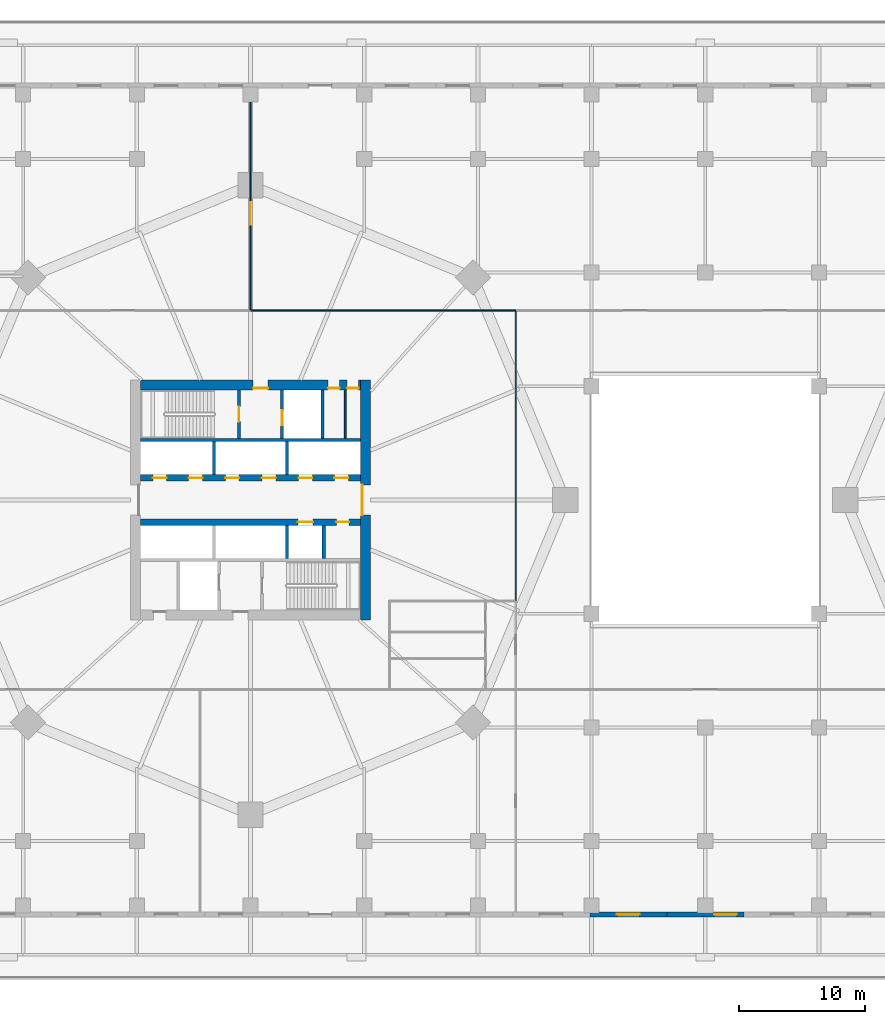
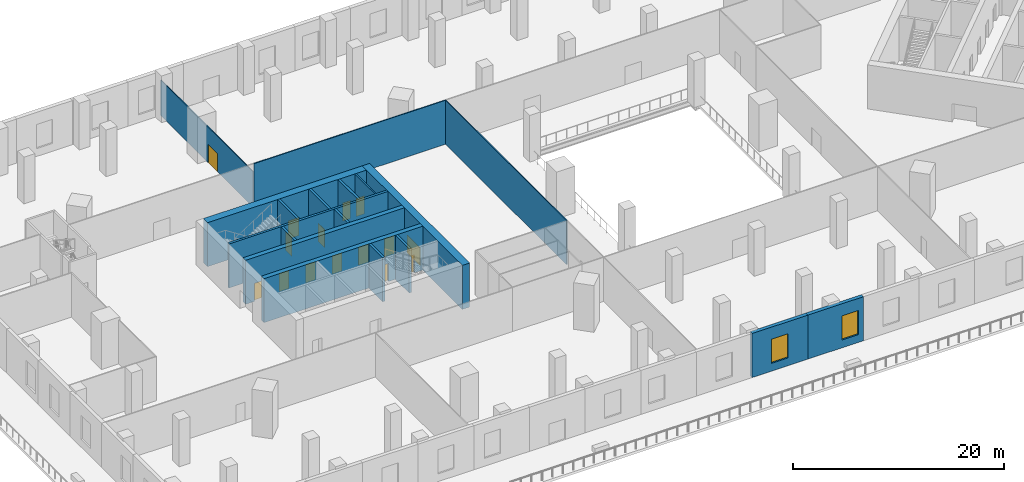
# One storey, part 6 of 20: 18 walls, 15 doors, 2 windows, 17 openings.
"""IFC4 building model written with IfcOpenShell, lengths in metres."""

import ifcopenshell
import ifcopenshell.guid

model = None  # the IFC model being written
_history = None  # IfcOwnerHistory: only IFC2X3 demands one
_inside = {}  # id of a spatial element -> (the spatial element, [elements in it])
_under = {}  # id of a project, library or spatial element -> (it, [spatial elements below it])
_declared = {}  # id of a project -> (the project, [libraries it declares])
_typed = {}  # id of a type object -> (the type object, [elements of that type])
_made_of = {}  # id of a material, layer set ... -> (it, [elements and type objects made of it])


def new_model(schema):
    """Start an empty IFC model of exactly this schema.

    Asked for "IFC4X3", IfcOpenShell would pick the latest addendum, in which some entities
    have other attributes; the version numbers below select the first issue.
    IFC2X3 requires an IfcOwnerHistory on every rooted entity: one is made here for all.
    """
    global model, _history
    if schema == "IFC4X3":
        model = ifcopenshell.file(schema_version=(4, 3, 0, 0))
    else:
        model = ifcopenshell.file(schema=schema)
    _inside.clear()
    _under.clear()
    _declared.clear()
    _typed.clear()
    _made_of.clear()
    _history = None
    if model.schema == "IFC2X3":
        org = make("IfcOrganization", Name="unknown")
        user = make(
            "IfcPersonAndOrganization",
            ThePerson=make("IfcPerson", FamilyName="unknown"),
            TheOrganization=org,
        )
        app = make(
            "IfcApplication",
            ApplicationDeveloper=org,
            Version="unknown",
            ApplicationFullName="unknown",
            ApplicationIdentifier="unknown",
        )
        _history = make(
            "IfcOwnerHistory",
            OwningUser=user,
            OwningApplication=app,
            ChangeAction="ADDED",
            CreationDate=0,
        )
    return model


def make(cls, **values):
    """One entity of the class cls with the attributes given. An attribute that is None is left unset."""
    return model.create_entity(
        cls, **{name: value for name, value in values.items() if value is not None}
    )


def rooted(cls, **values):
    """An entity with a GlobalId (a new one), such as an element, a storey or a relation."""
    return make(cls, GlobalId=ifcopenshell.guid.new(), OwnerHistory=_history, **values)


def si_unit(unit_type, name, prefix=None):
    """IfcSIUnit, for example si_unit("LENGTHUNIT", "METRE", prefix="MILLI")."""
    return make("IfcSIUnit", UnitType=unit_type, Prefix=prefix, Name=name)


def assignment(units):
    """IfcUnitAssignment: the units of a project."""
    return None if units is None else make("IfcUnitAssignment", Units=units)


def point(xyz):
    """IfcCartesianPoint."""
    return None if xyz is None else make("IfcCartesianPoint", Coordinates=xyz)


def direction(xyz):
    """IfcDirection."""
    return None if xyz is None else make("IfcDirection", DirectionRatios=xyz)


def frame(location, z_axis=None, x_axis=None):
    """IfcAxis2Placement3D, a coordinate frame: its origin and axes. An axis left out is left unset."""
    return make(
        "IfcAxis2Placement3D",
        Location=point(location),
        Axis=direction(z_axis),
        RefDirection=direction(x_axis),
    )


def frame_2d(location, x_axis=None):
    """IfcAxis2Placement2D, a coordinate frame in the plane: its origin and x axis."""
    return make(
        "IfcAxis2Placement2D", Location=point(location), RefDirection=direction(x_axis)
    )


def origin():
    """The frame at (0, 0, 0) with its axes left unset."""
    return frame((0.0, 0.0, 0.0))


def place(relative_to, where):
    """IfcLocalPlacement: puts the frame where relative to a parent placement (None: the world)."""
    return make(
        "IfcLocalPlacement", PlacementRelTo=relative_to, RelativePlacement=where
    )


def context(
    kind, dimensions, precision=None, world=None, true_north=None, identifier=None
):
    """IfcGeometricRepresentationContext, for example the 3D "Model" context."""
    return make(
        "IfcGeometricRepresentationContext",
        ContextIdentifier=identifier,
        ContextType=kind,
        CoordinateSpaceDimension=dimensions,
        Precision=precision,
        WorldCoordinateSystem=world,
        TrueNorth=true_north,
    )


def subcontext(parent, identifier, kind, view, scale=None):
    """IfcGeometricRepresentationSubContext, for example "Body" below "Model"."""
    return make(
        "IfcGeometricRepresentationSubContext",
        ContextIdentifier=identifier,
        ContextType=kind,
        ParentContext=parent,
        TargetScale=scale,
        TargetView=view,
    )


def project(units=None, contexts=None):
    """IfcProject with its units and contexts."""
    return rooted(
        "IfcProject",
        Name="project",
        RepresentationContexts=contexts,
        UnitsInContext=assignment(units),
    )


def spatial(cls, under=None, at=None, **own):
    """A site, building, storey or space (cls), placed at a placement, below another one or the project."""
    s = rooted(cls, ObjectPlacement=at, **own)
    if under is not None:
        _under.setdefault(under.id(), (under, []))[1].append(s)
    return s


def profile(cls, at=None, kind="AREA", **sizes):
    """A parametric profile (cls). Its sizes go by their IFC names, for example OverallWidth=200.0."""
    return make(cls, ProfileType=kind, Position=at, **sizes)


def rectangle(**sizes):
    """IfcRectangleProfileDef."""
    return profile("IfcRectangleProfileDef", **sizes)


def extrude(swept, where, along, depth):
    """IfcExtrudedAreaSolid: the profile swept, set in the frame where, extruded along a direction by depth."""
    return make(
        "IfcExtrudedAreaSolid",
        SweptArea=swept,
        Position=where,
        ExtrudedDirection=direction(along),
        Depth=depth,
    )


def shape(context_of_items, identifier, shape_type, items):
    """IfcShapeRepresentation: the items that make up one representation, for example the "Body"."""
    return make(
        "IfcShapeRepresentation",
        ContextOfItems=context_of_items,
        RepresentationIdentifier=identifier,
        RepresentationType=shape_type,
        Items=items,
    )


def material(Name=None, Category=None):
    """IfcMaterial."""
    return make("IfcMaterial", Name=Name, Category=Category)


def layer(
    of_material, thickness, ventilated=None, Name=None, Category=None, Priority=None
):
    """IfcMaterialLayer: one layer of a wall or slab, of a material (None: an air gap)."""
    return make(
        "IfcMaterialLayer",
        Material=of_material,
        LayerThickness=thickness,
        IsVentilated=ventilated,
        Name=Name,
        Category=Category,
        Priority=Priority,
    )


def layer_set(layers, Name=None):
    """IfcMaterialLayerSet."""
    return make("IfcMaterialLayerSet", MaterialLayers=layers, LayerSetName=Name)


def made_of(thing, what):
    """Note that an element or type object is made of a material, layer set ...; save() writes the relation."""
    if what is not None:
        _made_of.setdefault(what.id(), (what, []))[1].append(thing)
    return thing


def type_object(cls, material=None, **own):
    """A type object (cls), such as IfcWallType, which elements share."""
    return made_of(rooted(cls, **own), material)


def element(
    cls,
    number,
    at=None,
    inside=None,
    cuts=None,
    type_object=None,
    material=None,
    context=None,
    identifier="Body",
    shape_type=None,
    held_by="IfcProductDefinitionShape",
    body=None,
    shapes=None,
    **own,
):
    """One element of the class cls, such as IfcWall. Its Tag is "e" and its number.

    at: its placement. inside: the storey or other place that contains it. cuts: it is an
    opening in that element (IfcRelVoidsElement). A single representation is given by context,
    identifier, shape_type and body (its items); several are given by shapes. held_by: the class
    of the entity that holds the representations. save() writes the other relations.
    """
    e = rooted(cls, Tag="e%d" % number, ObjectPlacement=at, **own)
    if body is not None:
        shapes = [shape(context, identifier, shape_type, body)]
    if shapes is not None:
        e.Representation = make(held_by, Representations=shapes)
    if inside is not None:
        _inside.setdefault(inside.id(), (inside, []))[1].append(e)
    if cuts is not None:
        rooted(
            "IfcRelVoidsElement", RelatingBuildingElement=cuts, RelatedOpeningElement=e
        )
    if type_object is not None:
        _typed.setdefault(type_object.id(), (type_object, []))[1].append(e)
    return made_of(e, material)


def fill(opening, filler):
    """IfcRelFillsElement: the door or window that sits in an opening."""
    return rooted(
        "IfcRelFillsElement",
        RelatingOpeningElement=opening,
        RelatedBuildingElement=filler,
    )


def aggregate(whole, parts):
    """IfcRelAggregates: a whole, such as a stair, and the parts it consists of."""
    return rooted("IfcRelAggregates", RelatingObject=whole, RelatedObjects=parts)


def save(model, path):
    """Write the relations noted so far, then the file.

    IfcRelAggregates (storeys below a building ...), IfcRelContainedInSpatialStructure (elements
    in a storey), IfcRelDefinesByType, IfcRelAssociatesMaterial and IfcRelDeclares: one each for
    every whole, place, type object, material and project.
    """
    for whole, parts in _under.values():
        aggregate(whole, parts)
    for where, things in _inside.values():
        rooted(
            "IfcRelContainedInSpatialStructure",
            RelatedElements=things,
            RelatingStructure=where,
        )
    for kind, things in _typed.values():
        rooted("IfcRelDefinesByType", RelatedObjects=things, RelatingType=kind)
    for what, things in _made_of.values():
        rooted("IfcRelAssociatesMaterial", RelatedObjects=things, RelatingMaterial=what)
    for by, libraries in _declared.values():
        rooted("IfcRelDeclares", RelatingContext=by, RelatedDefinitions=libraries)
    model.write(path)


model = new_model("IFC4")

# Units and contexts
model_context = context("Model", 3, precision=1e-05, world=origin(), true_north=direction((0.0, 1.0)))
body_context = subcontext(model_context, "Body", "Model", "MODEL_VIEW")
ifc_project = project(units=[si_unit("LENGTHUNIT", "METRE"), si_unit("AREAUNIT", "SQUARE_METRE"), si_unit("VOLUMEUNIT", "CUBIC_METRE"), si_unit("PLANEANGLEUNIT", "RADIAN"), si_unit("MASSUNIT", "GRAM", prefix="KILO")], contexts=[model_context])

# Site, building, storey
site_placement = place(None, origin())
site = spatial("IfcSite", under=ifc_project, at=site_placement, CompositionType="ELEMENT")
building_placement = place(site_placement, origin())
building = spatial("IfcBuilding", under=site, at=building_placement, Name="Ogive Gate Towers", CompositionType="ELEMENT")
storey_placement = place(building_placement, frame((0.0, 0.0, 7.199951171875)))
storey = spatial("IfcBuildingStorey", under=building, at=storey_placement, Name="L01", CompositionType="ELEMENT", Elevation=7.199951171875)

# Wall, openings, doors
ifc_material_1 = material(Name="Concrete C60/75", Category="concrete")
ifc_layer_1 = layer(ifc_material_1, 0.800048828125)
ifc_layer_set_1 = layer_set([ifc_layer_1], Name="Core wall 800 mm")
wall_type_1 = type_object("IfcWallType", Name="Core wall 800 mm", PredefinedType="SHEAR", material=ifc_layer_set_1)
wall_1_placement = place(storey_placement, frame((-44.699951171875, 9.10009765625, 0.0), z_axis=(0.0, 0.0, 1.0), x_axis=(1.0, 0.0, 0.0)))
wall_1 = element("IfcWall", 1, at=wall_1_placement, inside=storey, type_object=wall_type_1, Name="T1 L01 Core wall 800 mm", PredefinedType="SHEAR", context=body_context, shape_type="SweptSolid", body=[
    extrude(rectangle(XDim=17.39990234375, YDim=0.800048828125, at=frame_2d((8.699951171875, 0.0))), origin(), (0.0, 0.0, 1.0), 5.10009765625),
])
opening_1_placement = place(wall_1_placement, frame((8.89990234375, 0.0, 0.0)))
opening_1 = element("IfcOpeningElement", 2, at=opening_1_placement, cuts=wall_1, Name="Opening KD-T1-L01-15", PredefinedType="OPENING", context=body_context, shape_type="SweptSolid", body=[
    extrude(rectangle(XDim=1.199951171875, YDim=2.10009765625, at=frame_2d((0.60009765625, 1.050048828125))), frame((0.0, 0.41015625, 0.0), z_axis=(0.0, -1.0, 0.0), x_axis=(1.0, 0.0, 0.0)), (0.0, 0.0, 1.0), 0.820068359375),
])
opening_2_placement = place(wall_1_placement, frame((14.85009765625, 0.0, 0.0)))
opening_2 = element("IfcOpeningElement", 3, at=opening_2_placement, cuts=wall_1, Name="Opening KD-T1-L01-17", PredefinedType="OPENING", context=body_context, shape_type="SweptSolid", body=[
    extrude(rectangle(XDim=0.89990234375, YDim=2.10009765625, at=frame_2d((0.449951171875, 1.050048828125))), frame((0.0, 0.41015625, 0.0), z_axis=(0.0, -1.0, 0.0), x_axis=(1.0, 0.0, 0.0)), (0.0, 0.0, 1.0), 0.820068359375),
])
opening_3_placement = place(wall_1_placement, frame((16.35009765625, 0.0, 0.0)))
opening_3 = element("IfcOpeningElement", 4, at=opening_3_placement, cuts=wall_1, Name="Opening KD-T1-L01-18", PredefinedType="OPENING", context=body_context, shape_type="SweptSolid", body=[
    extrude(rectangle(XDim=0.89990234375, YDim=2.10009765625, at=frame_2d((0.449951171875, 1.050048828125))), frame((0.0, 0.41015625, 0.0), z_axis=(0.0, -1.0, 0.0), x_axis=(1.0, 0.0, 0.0)), (0.0, 0.0, 1.0), 0.820068359375),
])
ifc_material_2 = material(Name="Timber door", Category="wood")
door_type_1 = type_object("IfcDoorType", Name="Core WC door 900 x 2100", OperationType="NOTDEFINED", PredefinedType="DOOR", material=ifc_material_2)
door_1_placement = place(opening_2_placement, origin())
door_1 = element("IfcDoor", 5, at=door_1_placement, inside=storey, type_object=door_type_1, Name="T1 L01 Core door", OperationType="SINGLE_SWING_RIGHT", OverallHeight=2.10009765625, OverallWidth=0.89990234375, PredefinedType="DOOR", context=body_context, shape_type="SweptSolid", body=[
    extrude(rectangle(XDim=0.89990234375, YDim=2.10009765625, at=frame_2d((0.449951171875, 1.050048828125))), frame((0.0, -0.22509765625, 0.0), z_axis=(0.0, -1.0, 0.0), x_axis=(1.0, 0.0, 0.0)), (0.0, 0.0, 1.0), 0.050048828125),
])
fill(opening_2, door_1)
door_2_placement = place(opening_3_placement, origin())
door_2 = element("IfcDoor", 6, at=door_2_placement, inside=storey, type_object=door_type_1, Name="T1 L01 Core door", OperationType="SINGLE_SWING_LEFT", OverallHeight=2.10009765625, OverallWidth=0.89990234375, PredefinedType="DOOR", context=body_context, shape_type="SweptSolid", body=[
    extrude(rectangle(XDim=0.89990234375, YDim=2.10009765625, at=frame_2d((0.449951171875, 1.050048828125))), frame((0.0, -0.22509765625, 0.0), z_axis=(0.0, -1.0, 0.0), x_axis=(1.0, 0.0, 0.0)), (0.0, 0.0, 1.0), 0.050048828125),
])
fill(opening_3, door_2)
ifc_material_3 = material(Name="Steel fire door", Category="steel")
door_type_2 = type_object("IfcDoorType", Name="Core door FD60S 1200 x 2100", OperationType="NOTDEFINED", PredefinedType="DOOR", material=ifc_material_3)
door_3_placement = place(opening_1_placement, origin())
door_3 = element("IfcDoor", 7, at=door_3_placement, inside=storey, type_object=door_type_2, Name="T1 L01 Fire-fighting lobby door", OperationType="SINGLE_SWING_RIGHT", OverallHeight=2.10009765625, OverallWidth=1.199951171875, PredefinedType="DOOR", context=body_context, shape_type="SweptSolid", body=[
    extrude(rectangle(XDim=1.199951171875, YDim=2.10009765625, at=frame_2d((0.60009765625, 1.050048828125))), frame((0.0, -0.22509765625, 0.0), z_axis=(0.0, -1.0, 0.0), x_axis=(1.0, 0.0, 0.0)), (0.0, 0.0, 1.0), 0.050048828125),
])
fill(opening_1, door_3)

# Wall, opening, door
wall_2_placement = place(storey_placement, frame((-26.89990234375, -9.5, 0.0), z_axis=(0.0, 0.0, 1.0), x_axis=(0.0, 1.0, 0.0)))
wall_2 = element("IfcWall", 8, at=wall_2_placement, inside=storey, type_object=wall_type_1, Name="T1 L01 Core wall 800 mm", PredefinedType="SHEAR", context=body_context, shape_type="SweptSolid", body=[
    extrude(rectangle(XDim=19.0, YDim=0.800048828125, at=frame_2d((9.5, 0.0))), origin(), (0.0, 0.0, 1.0), 5.10009765625),
])
opening_4_placement = place(wall_2_placement, frame((8.300048828125, 0.0, 0.0)))
opening_4 = element("IfcOpeningElement", 9, at=opening_4_placement, cuts=wall_2, Name="Opening KD-T1-L01-02", PredefinedType="OPENING", context=body_context, shape_type="SweptSolid", body=[
    extrude(rectangle(XDim=2.39990234375, YDim=2.10009765625, at=frame_2d((1.199951171875, 1.050048828125))), frame((0.0, 0.41015625, 0.0), z_axis=(0.0, -1.0, 0.0), x_axis=(1.0, 0.0, 0.0)), (0.0, 0.0, 1.0), 0.820068359375),
])
door_type_3 = type_object("IfcDoorType", Name="Core double door FD60S 2400 x 2100", OperationType="DOUBLE_DOOR_SINGLE_SWING", PredefinedType="DOOR", material=ifc_material_3)
door_4_placement = place(opening_4_placement, origin())
door_4 = element("IfcDoor", 10, at=door_4_placement, inside=storey, type_object=door_type_3, Name="T1 L01 Core door double", OperationType="DOUBLE_DOOR_SINGLE_SWING", OverallHeight=2.10009765625, OverallWidth=2.39990234375, PredefinedType="DOOR", context=body_context, shape_type="SweptSolid", body=[
    extrude(rectangle(XDim=2.39990234375, YDim=2.10009765625, at=frame_2d((1.199951171875, 1.050048828125))), frame((0.0, 0.27490234375, 0.0), z_axis=(0.0, -1.0, 0.0), x_axis=(1.0, 0.0, 0.0)), (0.0, 0.0, 1.0), 0.050048828125),
])
fill(opening_4, door_4)

ifc_material_4 = material(Name="Gypsum board partition")
ifc_layer_2 = layer(ifc_material_4, 0.10009765625)
ifc_layer_set_2 = layer_set([ifc_layer_2], Name="Partition wall 100")
wall_type_2 = type_object("IfcWallType", Name="Partition wall 100", PredefinedType="PARTITIONING", material=ifc_layer_set_2)
wall_3_placement = place(storey_placement, frame((-36.0, 15.050048828125, 0.0), z_axis=(0.0, 0.0, 1.0), x_axis=(0.0, 1.0, 0.0)))
wall_3 = element("IfcWall", 11, at=wall_3_placement, inside=storey, type_object=wall_type_2, Name="L01 partition 017", PredefinedType="PARTITIONING", context=body_context, shape_type="SweptSolid", body=[
    extrude(rectangle(XDim=17.550048828125, YDim=0.10009765625, at=frame_2d((8.77490234375, 0.0))), origin(), (0.0, 0.0, 1.0), 4.110107421875),
])
opening_5_placement = place(wall_3_placement, frame((6.73876953125, 0.0, 0.0)))
opening_5 = element("IfcOpeningElement", 12, at=opening_5_placement, cuts=wall_3, Name="Opening PO136", PredefinedType="OPENING", context=body_context, shape_type="SweptSolid", body=[
    extrude(rectangle(XDim=1.800048828125, YDim=2.10009765625, at=frame_2d((0.89990234375, 1.050048828125))), frame((0.0, 0.06005859375, 0.0), z_axis=(0.0, -1.0, 0.0), x_axis=(1.0, 0.0, 0.0)), (0.0, 0.0, 1.0), 0.1201171875),
])
door_type_4 = type_object("IfcDoorType", Name="Double door 1800 x 2100", OperationType="NOTDEFINED", PredefinedType="DOOR", material=ifc_material_2)
door_5_placement = place(opening_5_placement, origin())
door_5 = element("IfcDoor", 13, at=door_5_placement, inside=storey, type_object=door_type_4, Name="Door PO136", OperationType="DOUBLE_DOOR_DOUBLE_SWING", OverallHeight=2.10009765625, OverallWidth=1.800048828125, PredefinedType="DOOR", context=body_context, shape_type="SweptSolid", body=[
    extrude(rectangle(XDim=1.800048828125, YDim=2.10009765625, at=frame_2d((0.89990234375, 1.050048828125))), frame((0.0, 0.02490234375, 0.0), z_axis=(0.0, -1.0, 0.0), x_axis=(1.0, 0.0, 0.0)), (0.0, 0.0, 1.0), 0.050048828125),
])
fill(opening_5, door_5)

# Walls
wall_4_placement = place(storey_placement, frame((-36.0, 15.0, 0.0), z_axis=(0.0, 0.0, 1.0), x_axis=(1.0, 0.0, 0.0)))
element("IfcWall", 14, at=wall_4_placement, inside=storey, type_object=wall_type_2, Name="L01 partition 021", PredefinedType="PARTITIONING", context=body_context, shape_type="SweptSolid", body=[
    extrude(rectangle(XDim=21.0, YDim=0.10009765625, at=frame_2d((10.5, 0.0))), origin(), (0.0, 0.0, 1.0), 5.10009765625),
])
wall_5_placement = place(storey_placement, frame((-15.0, -8.0, 0.0), z_axis=(0.0, 0.0, 1.0), x_axis=(0.0, 1.0, 0.0)))
element("IfcWall", 15, at=wall_5_placement, inside=storey, type_object=wall_type_2, Name="L01 partition 031", PredefinedType="PARTITIONING", context=body_context, shape_type="SweptSolid", body=[
    extrude(rectangle(XDim=22.949951171875, YDim=0.10009765625, at=frame_2d((11.47509765625, 0.0))), origin(), (0.0, 0.0, 1.0), 5.10009765625),
])

# Wall, opening, window
ifc_material_5 = material(Name="Precast concrete C40/50", Category="concrete")
ifc_layer_3 = layer(ifc_material_5, 0.39990234375)
ifc_layer_set_3 = layer_set([ifc_layer_3], Name="Podium wall 400")
wall_type_3 = type_object("IfcWallType", Name="Podium wall 400", PredefinedType="SOLIDWALL", material=ifc_layer_set_3)
wall_6_placement = place(storey_placement, frame((-9.142822265625, -32.800048828125, 0.0), z_axis=(0.0, 0.0, 1.0), x_axis=(1.0, 0.0, 0.0)))
wall_6 = element("IfcWall", 16, at=wall_6_placement, inside=storey, type_object=wall_type_3, Name="Podium wall", PredefinedType="SOLIDWALL", context=body_context, shape_type="SweptSolid", body=[
    extrude(rectangle(XDim=6.09521484375, YDim=0.39990234375, at=frame_2d((3.047607421875, 0.0))), origin(), (0.0, 0.0, 1.0), 5.10009765625),
])
opening_6_placement = place(wall_6_placement, frame((2.147705078125, 0.0, 0.89990234375)))
opening_6 = element("IfcOpeningElement", 17, at=opening_6_placement, cuts=wall_6, Name="Opening WN1", PredefinedType="OPENING", context=body_context, shape_type="SweptSolid", body=[
    extrude(rectangle(XDim=1.800048828125, YDim=2.800048828125, at=frame_2d((0.89990234375, 1.39990234375))), frame((0.0, 0.2099609375, 0.0), z_axis=(0.0, -1.0, 0.0), x_axis=(1.0, 0.0, 0.0)), (0.0, 0.0, 1.0), 0.419921875),
])
ifc_material_6 = material(Name="Clear glass", Category="glass")
window_type = type_object("IfcWindowType", Name="Podium window 1800 x 2800", PartitioningType="SINGLE_PANEL", PredefinedType="WINDOW", material=ifc_material_6)
window_1_placement = place(opening_6_placement, origin())
window_1 = element("IfcWindow", 18, at=window_1_placement, inside=storey, type_object=window_type, Name="Podium window", OverallHeight=2.800048828125, OverallWidth=1.800048828125, PartitioningType="SINGLE_PANEL", PredefinedType="WINDOW", context=body_context, shape_type="SweptSolid", body=[
    extrude(rectangle(XDim=1.800048828125, YDim=2.800048828125, at=frame_2d((0.89990234375, 1.39990234375))), frame((0.0, 0.030029296875, 0.0), z_axis=(0.0, -1.0, 0.0), x_axis=(1.0, 0.0, 0.0)), (0.0, 0.0, 1.0), 0.06005859375),
])
fill(opening_6, window_1)

wall_7_placement = place(storey_placement, frame((-3.047607421875, -32.800048828125, 0.0), z_axis=(0.0, 0.0, 1.0), x_axis=(1.0, 0.0, 0.0)))
wall_7 = element("IfcWall", 19, at=wall_7_placement, inside=storey, type_object=wall_type_3, Name="Podium wall", PredefinedType="SOLIDWALL", context=body_context, shape_type="SweptSolid", body=[
    extrude(rectangle(XDim=6.09521484375, YDim=0.39990234375, at=frame_2d((3.047607421875, 0.0))), origin(), (0.0, 0.0, 1.0), 5.10009765625),
])
opening_7_placement = place(wall_7_placement, frame((3.74755859375, 0.0, 0.89990234375)))
opening_7 = element("IfcOpeningElement", 20, at=opening_7_placement, cuts=wall_7, Name="Opening WN1", PredefinedType="OPENING", context=body_context, shape_type="SweptSolid", body=[
    extrude(rectangle(XDim=1.800048828125, YDim=2.800048828125, at=frame_2d((0.89990234375, 1.39990234375))), frame((0.0, 0.2099609375, 0.0), z_axis=(0.0, -1.0, 0.0), x_axis=(1.0, 0.0, 0.0)), (0.0, 0.0, 1.0), 0.419921875),
])
window_2_placement = place(opening_7_placement, origin())
window_2 = element("IfcWindow", 21, at=window_2_placement, inside=storey, type_object=window_type, Name="Podium window", OverallHeight=2.800048828125, OverallWidth=1.800048828125, PartitioningType="SINGLE_PANEL", PredefinedType="WINDOW", context=body_context, shape_type="SweptSolid", body=[
    extrude(rectangle(XDim=1.800048828125, YDim=2.800048828125, at=frame_2d((0.89990234375, 1.39990234375))), frame((0.0, 0.030029296875, 0.0), z_axis=(0.0, -1.0, 0.0), x_axis=(1.0, 0.0, 0.0)), (0.0, 0.0, 1.0), 0.06005859375),
])
fill(opening_7, window_2)

# Walls
ifc_layer_4 = layer(ifc_material_4, 0.14990234375)
ifc_layer_set_4 = layer_set([ifc_layer_4], Name="Room partition 150 mm")
wall_type_4 = type_object("IfcWallType", Name="Room partition 150 mm", PredefinedType="PARTITIONING", material=ifc_layer_set_4)
wall_8_placement = place(storey_placement, frame((-28.5, 4.875, 0.0), z_axis=(0.0, 0.0, 1.0), x_axis=(0.0, 1.0, 0.0)))
element("IfcWall", 22, at=wall_8_placement, inside=storey, type_object=wall_type_4, Name="T1 L01 Room partition 150 mm", PredefinedType="PARTITIONING", context=body_context, shape_type="SweptSolid", body=[
    extrude(rectangle(XDim=3.824951171875, YDim=0.14990234375, at=frame_2d((1.91259765625, 0.0))), origin(), (0.0, 0.0, 1.0), 5.10009765625),
])
ifc_layer_5 = layer(ifc_material_1, 0.25)
ifc_layer_set_5 = layer_set([ifc_layer_5], Name="Shaft wall 250 mm")
wall_type_5 = type_object("IfcWallType", Name="Shaft wall 250 mm", PredefinedType="SHEAR", material=ifc_layer_set_5)
wall_9_placement = place(storey_placement, frame((-44.699951171875, 4.75, 0.0), z_axis=(0.0, 0.0, 1.0), x_axis=(1.0, 0.0, 0.0)))
element("IfcWall", 23, at=wall_9_placement, inside=storey, type_object=wall_type_5, Name="T1 L01 Shaft wall 250 mm", PredefinedType="SHEAR", context=body_context, shape_type="SweptSolid", body=[
    extrude(rectangle(XDim=17.39990234375, YDim=0.25, at=frame_2d((8.699951171875, 0.0))), origin(), (0.0, 0.0, 1.0), 5.10009765625),
])
wall_10_placement = place(storey_placement, frame((-38.89990234375, 2.0, 0.0), z_axis=(0.0, 0.0, 1.0), x_axis=(0.0, 1.0, 0.0)))
element("IfcWall", 24, at=wall_10_placement, inside=storey, type_object=wall_type_5, Name="T1 L01 Shaft wall 250 mm", PredefinedType="SHEAR", context=body_context, shape_type="SweptSolid", body=[
    extrude(rectangle(XDim=2.625, YDim=0.25, at=frame_2d((1.3125, 0.0))), origin(), (0.0, 0.0, 1.0), 5.10009765625),
])

# Wall, opening, door
wall_11_placement = place(storey_placement, frame((-36.89990234375, 4.875, 0.0), z_axis=(0.0, 0.0, 1.0), x_axis=(0.0, 1.0, 0.0)))
wall_11 = element("IfcWall", 25, at=wall_11_placement, inside=storey, type_object=wall_type_5, Name="T1 L01 Shaft wall 250 mm", PredefinedType="SHEAR", context=body_context, shape_type="SweptSolid", body=[
    extrude(rectangle(XDim=3.824951171875, YDim=0.25, at=frame_2d((1.91259765625, 0.0))), origin(), (0.0, 0.0, 1.0), 5.10009765625),
])
opening_8_placement = place(wall_11_placement, frame((1.324951171875, 0.0, 0.0)))
opening_8 = element("IfcOpeningElement", 26, at=opening_8_placement, cuts=wall_11, Name="Opening KD-T1-L01-13", PredefinedType="OPENING", context=body_context, shape_type="SweptSolid", body=[
    extrude(rectangle(XDim=1.199951171875, YDim=2.10009765625, at=frame_2d((0.60009765625, 1.050048828125))), frame((0.0, 0.135009765625, 0.0), z_axis=(0.0, -1.0, 0.0), x_axis=(1.0, 0.0, 0.0)), (0.0, 0.0, 1.0), 0.27001953125),
])
door_6_placement = place(opening_8_placement, origin())
door_6 = element("IfcDoor", 27, at=door_6_placement, inside=storey, type_object=door_type_2, Name="T1 L01 Stair door", OperationType="SINGLE_SWING_RIGHT", OverallHeight=2.10009765625, OverallWidth=1.199951171875, PredefinedType="DOOR", context=body_context, shape_type="SweptSolid", body=[
    extrude(rectangle(XDim=1.199951171875, YDim=2.10009765625, at=frame_2d((0.60009765625, 1.050048828125))), frame((0.0, 0.02490234375, 0.0), z_axis=(0.0, -1.0, 0.0), x_axis=(1.0, 0.0, 0.0)), (0.0, 0.0, 1.0), 0.050048828125),
])
fill(opening_8, door_6)

wall_12_placement = place(storey_placement, frame((-33.5, 4.875, 0.0), z_axis=(0.0, 0.0, 1.0), x_axis=(0.0, 1.0, 0.0)))
wall_12 = element("IfcWall", 28, at=wall_12_placement, inside=storey, type_object=wall_type_5, Name="T1 L01 Shaft wall 250 mm", PredefinedType="SHEAR", context=body_context, shape_type="SweptSolid", body=[
    extrude(rectangle(XDim=3.824951171875, YDim=0.25, at=frame_2d((1.91259765625, 0.0))), origin(), (0.0, 0.0, 1.0), 5.10009765625),
])
opening_9_placement = place(wall_12_placement, frame((1.02490234375, 0.0, 0.0)))
opening_9 = element("IfcOpeningElement", 29, at=opening_9_placement, cuts=wall_12, Name="Opening LD-T1-L01-10", PredefinedType="OPENING", context=body_context, shape_type="SweptSolid", body=[
    extrude(rectangle(XDim=1.199951171875, YDim=2.10009765625, at=frame_2d((0.60009765625, 1.050048828125))), frame((0.0, 0.135009765625, 0.0), z_axis=(0.0, -1.0, 0.0), x_axis=(1.0, 0.0, 0.0)), (0.0, 0.0, 1.0), 0.27001953125),
])
ifc_material_7 = material(Name="Stainless steel landing door", Category="steel")
door_type_5 = type_object("IfcDoorType", Name="Landing door 1200 x 2100", OperationType="SLIDING_TO_LEFT", PredefinedType="DOOR", material=ifc_material_7)
door_7_placement = place(opening_9_placement, origin())
door_7 = element("IfcDoor", 30, at=door_7_placement, inside=storey, type_object=door_type_5, Name="T1 L01 Lift landing door FF1", OperationType="SLIDING_TO_LEFT", OverallHeight=2.10009765625, OverallWidth=1.199951171875, PredefinedType="DOOR", context=body_context, shape_type="SweptSolid", body=[
    extrude(rectangle(XDim=1.199951171875, YDim=2.10009765625, at=frame_2d((0.60009765625, 1.050048828125))), frame((0.0, 0.02490234375, 0.0), z_axis=(0.0, -1.0, 0.0), x_axis=(1.0, 0.0, 0.0)), (0.0, 0.0, 1.0), 0.050048828125),
])
fill(opening_9, door_7)

# Walls
for number, where, z_axis, x_axis, name in (
    (31, (-33.10009765625, -4.625, 0.0), (0.0, 0.0, 1.0), (0.0, 1.0, 0.0), "T1 L01 Shaft wall 250 mm"),
    (32, (-33.10009765625, 2.0, 0.0), (0.0, 0.0, 1.0), (0.0, 1.0, 0.0), "T1 L01 Shaft wall 250 mm"),
):
    element("IfcWall", number, at=place(storey_placement, frame(where, z_axis=z_axis, x_axis=x_axis)), inside=storey, type_object=wall_type_5, Name=name, PredefinedType="SHEAR", context=body_context, shape_type="SweptSolid", body=[
        extrude(rectangle(XDim=2.625, YDim=0.25, at=frame_2d((1.3125, 0.0))), origin(), (0.0, 0.0, 1.0), 5.10009765625),
    ])
wall_13_placement = place(storey_placement, frame((-30.300048828125, 4.875, 0.0), z_axis=(0.0, 0.0, 1.0), x_axis=(0.0, 1.0, 0.0)))
element("IfcWall", 33, at=wall_13_placement, inside=storey, type_object=wall_type_5, Name="T1 L01 Shaft wall 250 mm", PredefinedType="SHEAR", context=body_context, shape_type="SweptSolid", body=[
    extrude(rectangle(XDim=3.824951171875, YDim=0.25, at=frame_2d((1.91259765625, 0.0))), origin(), (0.0, 0.0, 1.0), 5.10009765625),
])
wall_14_placement = place(storey_placement, frame((-30.199951171875, -4.625, 0.0), z_axis=(0.0, 0.0, 1.0), x_axis=(0.0, 1.0, 0.0)))
element("IfcWall", 34, at=wall_14_placement, inside=storey, type_object=wall_type_5, Name="T1 L01 Shaft wall 250 mm", PredefinedType="SHEAR", context=body_context, shape_type="SweptSolid", body=[
    extrude(rectangle(XDim=2.625, YDim=0.25, at=frame_2d((1.3125, 0.0))), origin(), (0.0, 0.0, 1.0), 5.10009765625),
])

# Wall, openings, doors
ifc_layer_6 = layer(ifc_material_1, 0.5)
ifc_layer_set_6 = layer_set([ifc_layer_6], Name="Spine wall 500 mm")
wall_type_6 = type_object("IfcWallType", Name="Spine wall 500 mm", PredefinedType="SHEAR", material=ifc_layer_set_6)
wall_15_placement = place(storey_placement, frame((-44.699951171875, -1.75, 0.0), z_axis=(0.0, 0.0, 1.0), x_axis=(1.0, 0.0, 0.0)))
wall_15 = element("IfcWall", 35, at=wall_15_placement, inside=storey, type_object=wall_type_6, Name="T1 L01 Spine wall 500 mm", PredefinedType="SHEAR", context=body_context, shape_type="SweptSolid", body=[
    extrude(rectangle(XDim=17.39990234375, YDim=0.5, at=frame_2d((8.699951171875, 0.0))), origin(), (0.0, 0.0, 1.0), 5.10009765625),
])
opening_10_placement = place(wall_15_placement, frame((12.449951171875, 0.0, 0.0)))
opening_10 = element("IfcOpeningElement", 36, at=opening_10_placement, cuts=wall_15, Name="Opening LD-T1-L01-09", PredefinedType="OPENING", context=body_context, shape_type="SweptSolid", body=[
    extrude(rectangle(XDim=1.199951171875, YDim=2.10009765625, at=frame_2d((0.60009765625, 1.050048828125))), frame((0.0, 0.260009765625, 0.0), z_axis=(0.0, -1.0, 0.0), x_axis=(1.0, 0.0, 0.0)), (0.0, 0.0, 1.0), 0.52001953125),
])
opening_11_placement = place(wall_15_placement, frame((15.5, 0.0, 0.0)))
opening_11 = element("IfcOpeningElement", 37, at=opening_11_placement, cuts=wall_15, Name="Opening KD-T1-L01-12", PredefinedType="OPENING", context=body_context, shape_type="SweptSolid", body=[
    extrude(rectangle(XDim=1.0, YDim=2.10009765625, at=frame_2d((0.5, 1.050048828125))), frame((0.0, 0.260009765625, 0.0), z_axis=(0.0, -1.0, 0.0), x_axis=(1.0, 0.0, 0.0)), (0.0, 0.0, 1.0), 0.52001953125),
])
door_type_6 = type_object("IfcDoorType", Name="Core door FD60S 1000 x 2100", OperationType="NOTDEFINED", PredefinedType="DOOR", material=ifc_material_3)
door_8_placement = place(opening_11_placement, origin())
door_8 = element("IfcDoor", 38, at=door_8_placement, inside=storey, type_object=door_type_6, Name="T1 L01 Core door", OperationType="SINGLE_SWING_LEFT", OverallHeight=2.10009765625, OverallWidth=1.0, PredefinedType="DOOR", context=body_context, shape_type="SweptSolid", body=[
    extrude(rectangle(XDim=1.0, YDim=2.10009765625, at=frame_2d((0.5, 1.050048828125))), frame((0.0, 0.02490234375, 0.0), z_axis=(0.0, -1.0, 0.0), x_axis=(1.0, 0.0, 0.0)), (0.0, 0.0, 1.0), 0.050048828125),
])
fill(opening_11, door_8)
door_9_placement = place(opening_10_placement, origin())
door_9 = element("IfcDoor", 39, at=door_9_placement, inside=storey, type_object=door_type_5, Name="T1 L01 Lift landing door SVC", OperationType="SLIDING_TO_LEFT", OverallHeight=2.10009765625, OverallWidth=1.199951171875, PredefinedType="DOOR", context=body_context, shape_type="SweptSolid", body=[
    extrude(rectangle(XDim=1.199951171875, YDim=2.10009765625, at=frame_2d((0.60009765625, 1.050048828125))), frame((0.0, 0.02490234375, 0.0), z_axis=(0.0, -1.0, 0.0), x_axis=(1.0, 0.0, 0.0)), (0.0, 0.0, 1.0), 0.050048828125),
])
fill(opening_10, door_9)

wall_16_placement = place(storey_placement, frame((-44.699951171875, 1.75, 0.0), z_axis=(0.0, 0.0, 1.0), x_axis=(1.0, 0.0, 0.0)))
wall_16 = element("IfcWall", 40, at=wall_16_placement, inside=storey, type_object=wall_type_6, Name="T1 L01 Spine wall 500 mm", PredefinedType="SHEAR", context=body_context, shape_type="SweptSolid", body=[
    extrude(rectangle(XDim=17.39990234375, YDim=0.5, at=frame_2d((8.699951171875, 0.0))), origin(), (0.0, 0.0, 1.0), 5.10009765625),
])
opening_12_placement = place(wall_16_placement, frame((0.96240234375, 0.0, 0.0)))
opening_12 = element("IfcOpeningElement", 41, at=opening_12_placement, cuts=wall_16, Name="Opening LD-T1-L01-03", PredefinedType="OPENING", context=body_context, shape_type="SweptSolid", body=[
    extrude(rectangle(XDim=1.10009765625, YDim=2.10009765625, at=frame_2d((0.550048828125, 1.050048828125))), frame((0.0, 0.260009765625, 0.0), z_axis=(0.0, -1.0, 0.0), x_axis=(1.0, 0.0, 0.0)), (0.0, 0.0, 1.0), 0.52001953125),
])
opening_13_placement = place(wall_16_placement, frame((3.800048828125, 0.0, 0.0)))
opening_13 = element("IfcOpeningElement", 42, at=opening_13_placement, cuts=wall_16, Name="Opening LD-T1-L01-04", PredefinedType="OPENING", context=body_context, shape_type="SweptSolid", body=[
    extrude(rectangle(XDim=1.10009765625, YDim=2.10009765625, at=frame_2d((0.550048828125, 1.050048828125))), frame((0.0, 0.260009765625, 0.0), z_axis=(0.0, -1.0, 0.0), x_axis=(1.0, 0.0, 0.0)), (0.0, 0.0, 1.0), 0.52001953125),
])
opening_14_placement = place(wall_16_placement, frame((6.699951171875, 0.0, 0.0)))
opening_14 = element("IfcOpeningElement", 43, at=opening_14_placement, cuts=wall_16, Name="Opening LD-T1-L01-05", PredefinedType="OPENING", context=body_context, shape_type="SweptSolid", body=[
    extrude(rectangle(XDim=1.10009765625, YDim=2.10009765625, at=frame_2d((0.550048828125, 1.050048828125))), frame((0.0, 0.260009765625, 0.0), z_axis=(0.0, -1.0, 0.0), x_axis=(1.0, 0.0, 0.0)), (0.0, 0.0, 1.0), 0.52001953125),
])
opening_15_placement = place(wall_16_placement, frame((9.60009765625, 0.0, 0.0)))
opening_15 = element("IfcOpeningElement", 44, at=opening_15_placement, cuts=wall_16, Name="Opening LD-T1-L01-06", PredefinedType="OPENING", context=body_context, shape_type="SweptSolid", body=[
    extrude(rectangle(XDim=1.10009765625, YDim=2.10009765625, at=frame_2d((0.550048828125, 1.050048828125))), frame((0.0, 0.260009765625, 0.0), z_axis=(0.0, -1.0, 0.0), x_axis=(1.0, 0.0, 0.0)), (0.0, 0.0, 1.0), 0.52001953125),
])
opening_16_placement = place(wall_16_placement, frame((12.5, 0.0, 0.0)))
opening_16 = element("IfcOpeningElement", 45, at=opening_16_placement, cuts=wall_16, Name="Opening LD-T1-L01-07", PredefinedType="OPENING", context=body_context, shape_type="SweptSolid", body=[
    extrude(rectangle(XDim=1.10009765625, YDim=2.10009765625, at=frame_2d((0.550048828125, 1.050048828125))), frame((0.0, 0.260009765625, 0.0), z_axis=(0.0, -1.0, 0.0), x_axis=(1.0, 0.0, 0.0)), (0.0, 0.0, 1.0), 0.52001953125),
])
opening_17_placement = place(wall_16_placement, frame((15.33740234375, 0.0, 0.0)))
opening_17 = element("IfcOpeningElement", 46, at=opening_17_placement, cuts=wall_16, Name="Opening LD-T1-L01-08", PredefinedType="OPENING", context=body_context, shape_type="SweptSolid", body=[
    extrude(rectangle(XDim=1.10009765625, YDim=2.10009765625, at=frame_2d((0.550048828125, 1.050048828125))), frame((0.0, 0.260009765625, 0.0), z_axis=(0.0, -1.0, 0.0), x_axis=(1.0, 0.0, 0.0)), (0.0, 0.0, 1.0), 0.52001953125),
])
door_type_7 = type_object("IfcDoorType", Name="Landing door 1100 x 2100", OperationType="SLIDING_TO_LEFT", PredefinedType="DOOR", material=ifc_material_7)
door_10_placement = place(opening_12_placement, origin())
door_10 = element("IfcDoor", 47, at=door_10_placement, inside=storey, type_object=door_type_7, Name="T1 L01 Lift landing door A1", OperationType="SLIDING_TO_LEFT", OverallHeight=2.10009765625, OverallWidth=1.10009765625, PredefinedType="DOOR", context=body_context, shape_type="SweptSolid", body=[
    extrude(rectangle(XDim=1.10009765625, YDim=2.10009765625, at=frame_2d((0.550048828125, 1.050048828125))), frame((0.0, 0.02490234375, 0.0), z_axis=(0.0, -1.0, 0.0), x_axis=(1.0, 0.0, 0.0)), (0.0, 0.0, 1.0), 0.050048828125),
])
fill(opening_12, door_10)
door_11_placement = place(opening_13_placement, origin())
door_11 = element("IfcDoor", 48, at=door_11_placement, inside=storey, type_object=door_type_7, Name="T1 L01 Lift landing door A2", OperationType="SLIDING_TO_LEFT", OverallHeight=2.10009765625, OverallWidth=1.10009765625, PredefinedType="DOOR", context=body_context, shape_type="SweptSolid", body=[
    extrude(rectangle(XDim=1.10009765625, YDim=2.10009765625, at=frame_2d((0.550048828125, 1.050048828125))), frame((0.0, 0.02490234375, 0.0), z_axis=(0.0, -1.0, 0.0), x_axis=(1.0, 0.0, 0.0)), (0.0, 0.0, 1.0), 0.050048828125),
])
fill(opening_13, door_11)
door_12_placement = place(opening_14_placement, origin())
door_12 = element("IfcDoor", 49, at=door_12_placement, inside=storey, type_object=door_type_7, Name="T1 L01 Lift landing door A3", OperationType="SLIDING_TO_LEFT", OverallHeight=2.10009765625, OverallWidth=1.10009765625, PredefinedType="DOOR", context=body_context, shape_type="SweptSolid", body=[
    extrude(rectangle(XDim=1.10009765625, YDim=2.10009765625, at=frame_2d((0.550048828125, 1.050048828125))), frame((0.0, 0.02490234375, 0.0), z_axis=(0.0, -1.0, 0.0), x_axis=(1.0, 0.0, 0.0)), (0.0, 0.0, 1.0), 0.050048828125),
])
fill(opening_14, door_12)
door_13_placement = place(opening_15_placement, origin())
door_13 = element("IfcDoor", 50, at=door_13_placement, inside=storey, type_object=door_type_7, Name="T1 L01 Lift landing door A4", OperationType="SLIDING_TO_LEFT", OverallHeight=2.10009765625, OverallWidth=1.10009765625, PredefinedType="DOOR", context=body_context, shape_type="SweptSolid", body=[
    extrude(rectangle(XDim=1.10009765625, YDim=2.10009765625, at=frame_2d((0.550048828125, 1.050048828125))), frame((0.0, 0.02490234375, 0.0), z_axis=(0.0, -1.0, 0.0), x_axis=(1.0, 0.0, 0.0)), (0.0, 0.0, 1.0), 0.050048828125),
])
fill(opening_15, door_13)
door_14_placement = place(opening_16_placement, origin())
door_14 = element("IfcDoor", 51, at=door_14_placement, inside=storey, type_object=door_type_7, Name="T1 L01 Lift landing door A5", OperationType="SLIDING_TO_LEFT", OverallHeight=2.10009765625, OverallWidth=1.10009765625, PredefinedType="DOOR", context=body_context, shape_type="SweptSolid", body=[
    extrude(rectangle(XDim=1.10009765625, YDim=2.10009765625, at=frame_2d((0.550048828125, 1.050048828125))), frame((0.0, 0.02490234375, 0.0), z_axis=(0.0, -1.0, 0.0), x_axis=(1.0, 0.0, 0.0)), (0.0, 0.0, 1.0), 0.050048828125),
])
fill(opening_16, door_14)
door_15_placement = place(opening_17_placement, origin())
door_15 = element("IfcDoor", 52, at=door_15_placement, inside=storey, type_object=door_type_7, Name="T1 L01 Lift landing door A6", OperationType="SLIDING_TO_LEFT", OverallHeight=2.10009765625, OverallWidth=1.10009765625, PredefinedType="DOOR", context=body_context, shape_type="SweptSolid", body=[
    extrude(rectangle(XDim=1.10009765625, YDim=2.10009765625, at=frame_2d((0.550048828125, 1.050048828125))), frame((0.0, 0.02490234375, 0.0), z_axis=(0.0, -1.0, 0.0), x_axis=(1.0, 0.0, 0.0)), (0.0, 0.0, 1.0), 0.050048828125),
])
fill(opening_17, door_15)

save(model, "model.ifc")
